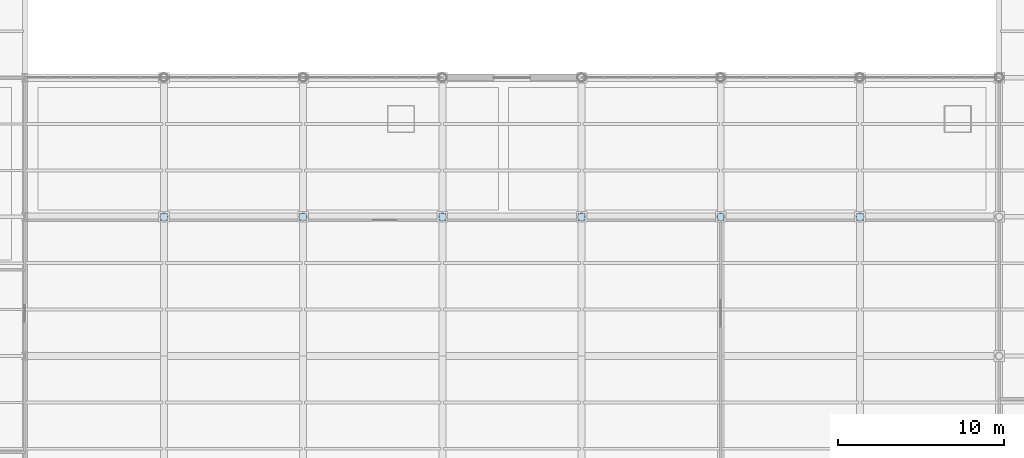
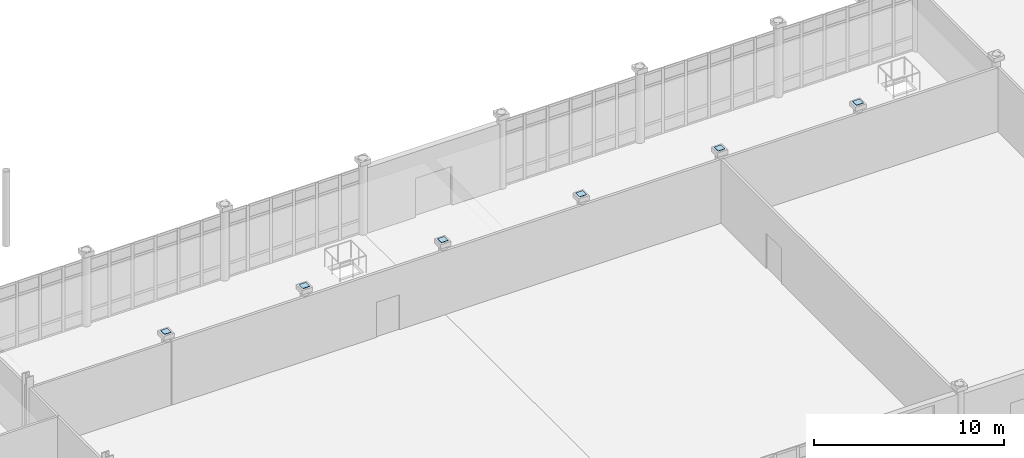
# One storey, part 122 of 145: 6 plates.
"""IFC4 building model written with IfcOpenShell, lengths in metres."""

from ifc_helpers import new_model, si_unit, direction, frame, origin, origin_2d, place, context, subcontext, project, spatial, rectangle, extrude, material, layer, layer_set, type_object, element, save


model = new_model("IFC4")

# Units and contexts
model_context = context("Model", 3, precision=1e-05, world=origin(), true_north=direction((0.0, 1.0)))
body_context = subcontext(model_context, "Body", "Model", "MODEL_VIEW")
ifc_project = project(units=[si_unit("LENGTHUNIT", "METRE"), si_unit("AREAUNIT", "SQUARE_METRE"), si_unit("VOLUMEUNIT", "CUBIC_METRE"), si_unit("PLANEANGLEUNIT", "RADIAN"), si_unit("MASSUNIT", "GRAM", prefix="KILO")], contexts=[model_context])

# Site, building, storey
site_placement = place(None, origin())
site = spatial("IfcSite", under=ifc_project, at=site_placement, CompositionType="ELEMENT")
building_placement = place(site_placement, origin())
building = spatial("IfcBuilding", under=site, at=building_placement, Name="Qalvenar Corner Mobility Hub", CompositionType="ELEMENT")
storey_placement = place(building_placement, origin())
storey = spatial("IfcBuildingStorey", under=building, at=storey_placement, Name="L00", CompositionType="ELEMENT", Elevation=0.0)

# Plates
ifc_material = material(Name="Steel S355", Category="steel")
ifc_layer = layer(ifc_material, 0.02490234375)
ifc_layer_set = layer_set([ifc_layer], Name="Steel S355")
plate_type = type_object("IfcPlateType", Name="PLT-CAP25", PredefinedType="SHEET", material=ifc_layer_set)
for number, where, z_axis, x_axis, name in (
    (1, (58.800048828125, 25.199951171875, 4.6201171875), (0.0, 0.0, 1.0), (1.0, 0.0, 0.0), "Hollow Column Top Cap Plate L00-G8-3"),
    (2, (67.199951171875, 25.199951171875, 4.6201171875), (0.0, 0.0, 1.0), (1.0, 0.0, 0.0), "Hollow Column Top Cap Plate L00-G9-3"),
    (3, (75.60009765625, 25.199951171875, 4.6201171875), (0.0, 0.0, 1.0), (1.0, 0.0, 0.0), "Hollow Column Top Cap Plate L00-G10-3"),
    (4, (84.0, 25.199951171875, 4.6201171875), (0.0, 0.0, 1.0), (1.0, 0.0, 0.0), "Hollow Column Top Cap Plate L00-G11-3"),
    (5, (92.39990234375, 25.199951171875, 4.6201171875), (0.0, 0.0, 1.0), (1.0, 0.0, 0.0), "Hollow Column Top Cap Plate L00-G12-3"),
    (6, (100.800048828125, 25.199951171875, 4.6201171875), (0.0, 0.0, 1.0), (1.0, 0.0, 0.0), "Hollow Column Top Cap Plate L00-G13-3"),
):
    element("IfcPlate", number, at=place(storey_placement, frame(where, z_axis=z_axis, x_axis=x_axis)), inside=storey, type_object=plate_type, Name=name, PredefinedType="SHEET", context=body_context, shape_type="SweptSolid", body=[
        extrude(rectangle(XDim=0.419921875, YDim=0.419921875, at=origin_2d()), origin(), (0.0, 0.0, 1.0), 0.02490234375),
    ])

save(model, "model.ifc")
